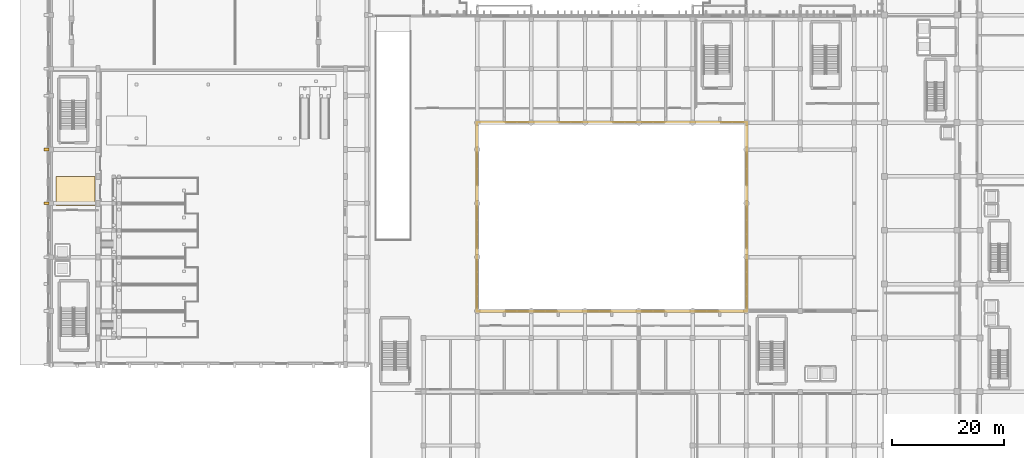
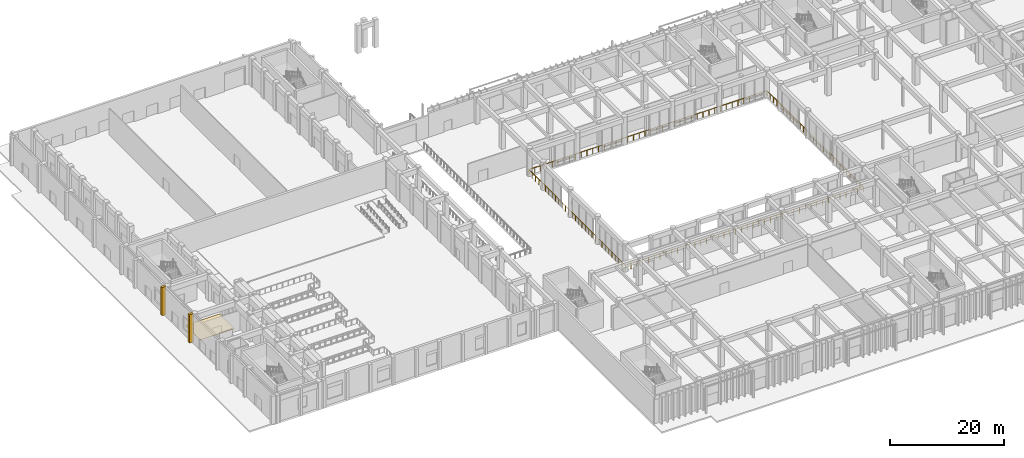
# One storey, part 67 of 87: 3 coverings, 1 railing.
"""IFC4 building model written with IfcOpenShell, lengths in metres."""

from ifc_helpers import new_model, si_unit, direction, frame, origin, origin_2d, place, context, subcontext, project, spatial, polyline, rectangle, circle, outline, extrude, material, layer, layer_set, type_object, element, save


model = new_model("IFC4")

# Units and contexts
model_context = context("Model", 3, precision=1e-05, world=origin(), true_north=direction((0.0, 1.0)))
body_context = subcontext(model_context, "Body", "Model", "MODEL_VIEW")
ifc_project = project(units=[si_unit("LENGTHUNIT", "METRE"), si_unit("AREAUNIT", "SQUARE_METRE"), si_unit("VOLUMEUNIT", "CUBIC_METRE"), si_unit("PLANEANGLEUNIT", "RADIAN"), si_unit("MASSUNIT", "GRAM", prefix="KILO")], contexts=[model_context])

# Site, building, storey
site_placement = place(None, origin())
site = spatial("IfcSite", under=ifc_project, at=site_placement, CompositionType="ELEMENT")
building_placement = place(site_placement, origin())
building = spatial("IfcBuilding", under=site, at=building_placement, Name="Nakhvara Creek Congress Hotel", CompositionType="ELEMENT")
storey_placement = place(building_placement, origin())
storey = spatial("IfcBuildingStorey", under=building, at=storey_placement, Name="L00", CompositionType="ELEMENT", Elevation=0.0)

# Coverings
ifc_material_1 = material(Name="Honed pale Omani limestone architectural cladding", Category="masonry")
ifc_layer_1 = layer(ifc_material_1, 0.449951171875)
ifc_layer_set_1 = layer_set([ifc_layer_1], Name="Honed pale Omani limestone architectural cladding")
covering_type_1 = type_object("IfcCoveringType", Name="COV-BUTT-850", PredefinedType="CLADDING", material=ifc_layer_set_1)
for number, where, z_axis, x_axis, name in (
    (1, (-0.06494140625, 62.39990234375, 0.0), (0.0, 0.0, 1.0), (0.0, 1.0, 0.0), "Gothic Limestone Buttress Pier CF03-0402"),
    (2, (-0.06494140625, 72.0, 0.0), (0.0, 0.0, 1.0), (0.0, 1.0, 0.0), "Gothic Limestone Buttress Pier CF03-0403"),
):
    element("IfcCovering", number, at=place(storey_placement, frame(where, z_axis=z_axis, x_axis=x_axis)), inside=storey, type_object=covering_type_1, Name=name, PredefinedType="CLADDING", context=body_context, shape_type="SweptSolid", body=[
        extrude(rectangle(XDim=0.47998046875, YDim=0.85009765625, at=origin_2d()), origin(), (0.0, 0.0, 1.0), 6.0),
    ])
ifc_material_2 = material(Name="Honed limestone and terrazzo acoustic floor finish", Category="masonry")
ifc_layer_2 = layer(ifc_material_2, 0.044921875)
ifc_layer_set_2 = layer_set([ifc_layer_2], Name="Honed limestone and terrazzo acoustic floor finish")
covering_type_2 = type_object("IfcCoveringType", Name="COV-FLR-TER", PredefinedType="FLOORING", material=ifc_layer_set_2)
covering_placement = place(storey_placement, origin())
element("IfcCovering", 3, at=covering_placement, inside=storey, type_object=covering_type_2, Name="Floor Finish L00-CH-03", PredefinedType="FLOORING", context=body_context, shape_type="SweptSolid", body=[
    extrude(outline(polyline([(1.60009765625, 62.0), (8.5400390625, 62.0), (8.5400390625, 67.199951171875), (1.60009765625, 67.199951171875), (1.60009765625, 62.0)])), origin(), (0.0, 0.0, 1.0), 0.030029296875),
])

# Railing
ifc_material_3 = material(Name="Brushed stainless steel 316L", Category="steel")
railing_type = type_object("IfcRailingType", Name="RL-GUARD-1200", PredefinedType="GUARDRAIL", material=ifc_material_3)
railing_placement = place(storey_placement, frame((76.719970703125, 43.1201171875, 0.0)))
element("IfcRailing", 4, at=railing_placement, inside=storey, type_object=railing_type, Name="Cloister Courtyard Perimeter Guardrail L00", PredefinedType="GUARDRAIL", context=body_context, shape_type="SweptSolid", body=[
    extrude(circle(Radius=0.02392578125, at=origin_2d()), frame((0.0146484375, 0.0, 1.17578125), z_axis=(1.0, 0.0, 0.0), x_axis=(0.0, 1.0, 0.0)), (0.0, 0.0, 1.0), 48.130615234375),
    extrude(circle(Radius=0.02392578125, at=origin_2d()), frame((48.159912109375, 0.0146484375, 1.17578125), z_axis=(0.0, 1.0, 0.0), x_axis=(-1.0, 0.0, 0.0)), (0.0, 0.0, 1.0), 33.73046875),
    extrude(circle(Radius=0.02392578125, at=origin_2d()), frame((48.145263671875, 33.759765625, 1.17578125), z_axis=(-1.0, 0.0, 0.0), x_axis=(0.0, -1.0, 0.0)), (0.0, 0.0, 1.0), 48.130615234375),
    extrude(circle(Radius=0.02392578125, at=origin_2d()), frame((0.0, 33.7451171875, 1.17578125), z_axis=(0.0, -1.0, 0.0), x_axis=(1.0, 0.0, 0.0)), (0.0, 0.0, 1.0), 33.73046875),
    extrude(circle(Radius=0.02099609375, at=origin_2d()), origin(), (0.0, 0.0, 1.0), 1.1806640625),
    extrude(circle(Radius=0.02099609375, at=origin_2d()), frame((1.174560546875, 0.0, 0.0)), (0.0, 0.0, 1.0), 1.1806640625),
    extrude(circle(Radius=0.02099609375, at=origin_2d()), frame((2.349365234375, 0.0, 0.0)), (0.0, 0.0, 1.0), 1.1806640625),
    extrude(circle(Radius=0.02099609375, at=origin_2d()), frame((3.52392578125, 0.0, 0.0)), (0.0, 0.0, 1.0), 1.1806640625),
    extrude(circle(Radius=0.02099609375, at=origin_2d()), frame((4.698486328125, 0.0, 0.0)), (0.0, 0.0, 1.0), 1.1806640625),
    extrude(circle(Radius=0.02099609375, at=origin_2d()), frame((5.873046875, 0.0, 0.0)), (0.0, 0.0, 1.0), 1.1806640625),
    extrude(circle(Radius=0.02099609375, at=origin_2d()), frame((7.0478515625, 0.0, 0.0)), (0.0, 0.0, 1.0), 1.1806640625),
    extrude(circle(Radius=0.02099609375, at=origin_2d()), frame((8.222412109375, 0.0, 0.0)), (0.0, 0.0, 1.0), 1.1806640625),
    extrude(circle(Radius=0.02099609375, at=origin_2d()), frame((9.39697265625, 0.0, 0.0)), (0.0, 0.0, 1.0), 1.1806640625),
    extrude(circle(Radius=0.02099609375, at=origin_2d()), frame((10.57177734375, 0.0, 0.0)), (0.0, 0.0, 1.0), 1.1806640625),
    extrude(circle(Radius=0.02099609375, at=origin_2d()), frame((11.746337890625, 0.0, 0.0)), (0.0, 0.0, 1.0), 1.1806640625),
    extrude(circle(Radius=0.02099609375, at=origin_2d()), frame((12.9208984375, 0.0, 0.0)), (0.0, 0.0, 1.0), 1.1806640625),
    extrude(circle(Radius=0.02099609375, at=origin_2d()), frame((14.095703125, 0.0, 0.0)), (0.0, 0.0, 1.0), 1.1806640625),
    extrude(circle(Radius=0.02099609375, at=origin_2d()), frame((15.270263671875, 0.0, 0.0)), (0.0, 0.0, 1.0), 1.1806640625),
    extrude(circle(Radius=0.02099609375, at=origin_2d()), frame((16.44482421875, 0.0, 0.0)), (0.0, 0.0, 1.0), 1.1806640625),
    extrude(circle(Radius=0.02099609375, at=origin_2d()), frame((17.619384765625, 0.0, 0.0)), (0.0, 0.0, 1.0), 1.1806640625),
    extrude(circle(Radius=0.02099609375, at=origin_2d()), frame((18.794189453125, 0.0, 0.0)), (0.0, 0.0, 1.0), 1.1806640625),
    extrude(circle(Radius=0.02099609375, at=origin_2d()), frame((19.96875, 0.0, 0.0)), (0.0, 0.0, 1.0), 1.1806640625),
    extrude(circle(Radius=0.02099609375, at=origin_2d()), frame((21.143310546875, 0.0, 0.0)), (0.0, 0.0, 1.0), 1.1806640625),
    extrude(circle(Radius=0.02099609375, at=origin_2d()), frame((22.318115234375, 0.0, 0.0)), (0.0, 0.0, 1.0), 1.1806640625),
    extrude(circle(Radius=0.02099609375, at=origin_2d()), frame((23.49267578125, 0.0, 0.0)), (0.0, 0.0, 1.0), 1.1806640625),
    extrude(circle(Radius=0.02099609375, at=origin_2d()), frame((24.667236328125, 0.0, 0.0)), (0.0, 0.0, 1.0), 1.1806640625),
    extrude(circle(Radius=0.02099609375, at=origin_2d()), frame((25.841796875, 0.0, 0.0)), (0.0, 0.0, 1.0), 1.1806640625),
    extrude(circle(Radius=0.02099609375, at=origin_2d()), frame((27.0166015625, 0.0, 0.0)), (0.0, 0.0, 1.0), 1.1806640625),
    extrude(circle(Radius=0.02099609375, at=origin_2d()), frame((28.191162109375, 0.0, 0.0)), (0.0, 0.0, 1.0), 1.1806640625),
    extrude(circle(Radius=0.02099609375, at=origin_2d()), frame((29.36572265625, 0.0, 0.0)), (0.0, 0.0, 1.0), 1.1806640625),
    extrude(circle(Radius=0.02099609375, at=origin_2d()), frame((30.54052734375, 0.0, 0.0)), (0.0, 0.0, 1.0), 1.1806640625),
    extrude(circle(Radius=0.02099609375, at=origin_2d()), frame((31.715087890625, 0.0, 0.0)), (0.0, 0.0, 1.0), 1.1806640625),
    extrude(circle(Radius=0.02099609375, at=origin_2d()), frame((32.8896484375, 0.0, 0.0)), (0.0, 0.0, 1.0), 1.1806640625),
    extrude(circle(Radius=0.02099609375, at=origin_2d()), frame((34.064208984375, 0.0, 0.0)), (0.0, 0.0, 1.0), 1.1806640625),
    extrude(circle(Radius=0.02099609375, at=origin_2d()), frame((35.239013671875, 0.0, 0.0)), (0.0, 0.0, 1.0), 1.1806640625),
    extrude(circle(Radius=0.02099609375, at=origin_2d()), frame((36.41357421875, 0.0, 0.0)), (0.0, 0.0, 1.0), 1.1806640625),
    extrude(circle(Radius=0.02099609375, at=origin_2d()), frame((37.588134765625, 0.0, 0.0)), (0.0, 0.0, 1.0), 1.1806640625),
    extrude(circle(Radius=0.02099609375, at=origin_2d()), frame((38.762939453125, 0.0, 0.0)), (0.0, 0.0, 1.0), 1.1806640625),
    extrude(circle(Radius=0.02099609375, at=origin_2d()), frame((39.9375, 0.0, 0.0)), (0.0, 0.0, 1.0), 1.1806640625),
    extrude(circle(Radius=0.02099609375, at=origin_2d()), frame((41.112060546875, 0.0, 0.0)), (0.0, 0.0, 1.0), 1.1806640625),
    extrude(circle(Radius=0.02099609375, at=origin_2d()), frame((42.286865234375, 0.0, 0.0)), (0.0, 0.0, 1.0), 1.1806640625),
    extrude(circle(Radius=0.02099609375, at=origin_2d()), frame((43.46142578125, 0.0, 0.0)), (0.0, 0.0, 1.0), 1.1806640625),
    extrude(circle(Radius=0.02099609375, at=origin_2d()), frame((44.635986328125, 0.0, 0.0)), (0.0, 0.0, 1.0), 1.1806640625),
    extrude(circle(Radius=0.02099609375, at=origin_2d()), frame((45.810546875, 0.0, 0.0)), (0.0, 0.0, 1.0), 1.1806640625),
    extrude(circle(Radius=0.02099609375, at=origin_2d()), frame((46.9853515625, 0.0, 0.0)), (0.0, 0.0, 1.0), 1.1806640625),
    extrude(circle(Radius=0.02099609375, at=origin_2d()), frame((48.159912109375, 0.0, 0.0)), (0.0, 0.0, 1.0), 1.1806640625),
    extrude(circle(Radius=0.02099609375, at=origin_2d()), frame((48.159912109375, 1.1640625, 0.0)), (0.0, 0.0, 1.0), 1.1806640625),
    extrude(circle(Radius=0.02099609375, at=origin_2d()), frame((48.159912109375, 2.328369140625, 0.0)), (0.0, 0.0, 1.0), 1.1806640625),
    extrude(circle(Radius=0.02099609375, at=origin_2d()), frame((48.159912109375, 3.492431640625, 0.0)), (0.0, 0.0, 1.0), 1.1806640625),
    extrude(circle(Radius=0.02099609375, at=origin_2d()), frame((48.159912109375, 4.656494140625, 0.0)), (0.0, 0.0, 1.0), 1.1806640625),
    extrude(circle(Radius=0.02099609375, at=origin_2d()), frame((48.159912109375, 5.820556640625, 0.0)), (0.0, 0.0, 1.0), 1.1806640625),
    extrude(circle(Radius=0.02099609375, at=origin_2d()), frame((48.159912109375, 6.98486328125, 0.0)), (0.0, 0.0, 1.0), 1.1806640625),
    extrude(circle(Radius=0.02099609375, at=origin_2d()), frame((48.159912109375, 8.14892578125, 0.0)), (0.0, 0.0, 1.0), 1.1806640625),
    extrude(circle(Radius=0.02099609375, at=origin_2d()), frame((48.159912109375, 9.31298828125, 0.0)), (0.0, 0.0, 1.0), 1.1806640625),
    extrude(circle(Radius=0.02099609375, at=origin_2d()), frame((48.159912109375, 10.47705078125, 0.0)), (0.0, 0.0, 1.0), 1.1806640625),
    extrude(circle(Radius=0.02099609375, at=origin_2d()), frame((48.159912109375, 11.641357421875, 0.0)), (0.0, 0.0, 1.0), 1.1806640625),
    extrude(circle(Radius=0.02099609375, at=origin_2d()), frame((48.159912109375, 12.805419921875, 0.0)), (0.0, 0.0, 1.0), 1.1806640625),
    extrude(circle(Radius=0.02099609375, at=origin_2d()), frame((48.159912109375, 13.969482421875, 0.0)), (0.0, 0.0, 1.0), 1.1806640625),
    extrude(circle(Radius=0.02099609375, at=origin_2d()), frame((48.159912109375, 15.1337890625, 0.0)), (0.0, 0.0, 1.0), 1.1806640625),
    extrude(circle(Radius=0.02099609375, at=origin_2d()), frame((48.159912109375, 16.2978515625, 0.0)), (0.0, 0.0, 1.0), 1.1806640625),
    extrude(circle(Radius=0.02099609375, at=origin_2d()), frame((48.159912109375, 17.4619140625, 0.0)), (0.0, 0.0, 1.0), 1.1806640625),
    extrude(circle(Radius=0.02099609375, at=origin_2d()), frame((48.159912109375, 18.6259765625, 0.0)), (0.0, 0.0, 1.0), 1.1806640625),
    extrude(circle(Radius=0.02099609375, at=origin_2d()), frame((48.159912109375, 19.790283203125, 0.0)), (0.0, 0.0, 1.0), 1.1806640625),
    extrude(circle(Radius=0.02099609375, at=origin_2d()), frame((48.159912109375, 20.954345703125, 0.0)), (0.0, 0.0, 1.0), 1.1806640625),
    extrude(circle(Radius=0.02099609375, at=origin_2d()), frame((48.159912109375, 22.118408203125, 0.0)), (0.0, 0.0, 1.0), 1.1806640625),
    extrude(circle(Radius=0.02099609375, at=origin_2d()), frame((48.159912109375, 23.28271484375, 0.0)), (0.0, 0.0, 1.0), 1.1806640625),
    extrude(circle(Radius=0.02099609375, at=origin_2d()), frame((48.159912109375, 24.44677734375, 0.0)), (0.0, 0.0, 1.0), 1.1806640625),
    extrude(circle(Radius=0.02099609375, at=origin_2d()), frame((48.159912109375, 25.61083984375, 0.0)), (0.0, 0.0, 1.0), 1.1806640625),
    extrude(circle(Radius=0.02099609375, at=origin_2d()), frame((48.159912109375, 26.77490234375, 0.0)), (0.0, 0.0, 1.0), 1.1806640625),
    extrude(circle(Radius=0.02099609375, at=origin_2d()), frame((48.159912109375, 27.939208984375, 0.0)), (0.0, 0.0, 1.0), 1.1806640625),
    extrude(circle(Radius=0.02099609375, at=origin_2d()), frame((48.159912109375, 29.103271484375, 0.0)), (0.0, 0.0, 1.0), 1.1806640625),
    extrude(circle(Radius=0.02099609375, at=origin_2d()), frame((48.159912109375, 30.267333984375, 0.0)), (0.0, 0.0, 1.0), 1.1806640625),
    extrude(circle(Radius=0.02099609375, at=origin_2d()), frame((48.159912109375, 31.431396484375, 0.0)), (0.0, 0.0, 1.0), 1.1806640625),
    extrude(circle(Radius=0.02099609375, at=origin_2d()), frame((48.159912109375, 32.595703125, 0.0)), (0.0, 0.0, 1.0), 1.1806640625),
    extrude(circle(Radius=0.02099609375, at=origin_2d()), frame((48.159912109375, 33.759765625, 0.0)), (0.0, 0.0, 1.0), 1.1806640625),
    extrude(circle(Radius=0.02099609375, at=origin_2d()), frame((46.9853515625, 33.759765625, 0.0)), (0.0, 0.0, 1.0), 1.1806640625),
    extrude(circle(Radius=0.02099609375, at=origin_2d()), frame((45.810546875, 33.759765625, 0.0)), (0.0, 0.0, 1.0), 1.1806640625),
    extrude(circle(Radius=0.02099609375, at=origin_2d()), frame((44.635986328125, 33.759765625, 0.0)), (0.0, 0.0, 1.0), 1.1806640625),
    extrude(circle(Radius=0.02099609375, at=origin_2d()), frame((43.46142578125, 33.759765625, 0.0)), (0.0, 0.0, 1.0), 1.1806640625),
    extrude(circle(Radius=0.02099609375, at=origin_2d()), frame((42.286865234375, 33.759765625, 0.0)), (0.0, 0.0, 1.0), 1.1806640625),
    extrude(circle(Radius=0.02099609375, at=origin_2d()), frame((41.112060546875, 33.759765625, 0.0)), (0.0, 0.0, 1.0), 1.1806640625),
    extrude(circle(Radius=0.02099609375, at=origin_2d()), frame((39.9375, 33.759765625, 0.0)), (0.0, 0.0, 1.0), 1.1806640625),
    extrude(circle(Radius=0.02099609375, at=origin_2d()), frame((38.762939453125, 33.759765625, 0.0)), (0.0, 0.0, 1.0), 1.1806640625),
    extrude(circle(Radius=0.02099609375, at=origin_2d()), frame((37.588134765625, 33.759765625, 0.0)), (0.0, 0.0, 1.0), 1.1806640625),
    extrude(circle(Radius=0.02099609375, at=origin_2d()), frame((36.41357421875, 33.759765625, 0.0)), (0.0, 0.0, 1.0), 1.1806640625),
    extrude(circle(Radius=0.02099609375, at=origin_2d()), frame((35.239013671875, 33.759765625, 0.0)), (0.0, 0.0, 1.0), 1.1806640625),
    extrude(circle(Radius=0.02099609375, at=origin_2d()), frame((34.064208984375, 33.759765625, 0.0)), (0.0, 0.0, 1.0), 1.1806640625),
    extrude(circle(Radius=0.02099609375, at=origin_2d()), frame((32.8896484375, 33.759765625, 0.0)), (0.0, 0.0, 1.0), 1.1806640625),
    extrude(circle(Radius=0.02099609375, at=origin_2d()), frame((31.715087890625, 33.759765625, 0.0)), (0.0, 0.0, 1.0), 1.1806640625),
    extrude(circle(Radius=0.02099609375, at=origin_2d()), frame((30.54052734375, 33.759765625, 0.0)), (0.0, 0.0, 1.0), 1.1806640625),
    extrude(circle(Radius=0.02099609375, at=origin_2d()), frame((29.36572265625, 33.759765625, 0.0)), (0.0, 0.0, 1.0), 1.1806640625),
    extrude(circle(Radius=0.02099609375, at=origin_2d()), frame((28.191162109375, 33.759765625, 0.0)), (0.0, 0.0, 1.0), 1.1806640625),
    extrude(circle(Radius=0.02099609375, at=origin_2d()), frame((27.0166015625, 33.759765625, 0.0)), (0.0, 0.0, 1.0), 1.1806640625),
    extrude(circle(Radius=0.02099609375, at=origin_2d()), frame((25.841796875, 33.759765625, 0.0)), (0.0, 0.0, 1.0), 1.1806640625),
    extrude(circle(Radius=0.02099609375, at=origin_2d()), frame((24.667236328125, 33.759765625, 0.0)), (0.0, 0.0, 1.0), 1.1806640625),
    extrude(circle(Radius=0.02099609375, at=origin_2d()), frame((23.49267578125, 33.759765625, 0.0)), (0.0, 0.0, 1.0), 1.1806640625),
    extrude(circle(Radius=0.02099609375, at=origin_2d()), frame((22.318115234375, 33.759765625, 0.0)), (0.0, 0.0, 1.0), 1.1806640625),
    extrude(circle(Radius=0.02099609375, at=origin_2d()), frame((21.143310546875, 33.759765625, 0.0)), (0.0, 0.0, 1.0), 1.1806640625),
    extrude(circle(Radius=0.02099609375, at=origin_2d()), frame((19.96875, 33.759765625, 0.0)), (0.0, 0.0, 1.0), 1.1806640625),
    extrude(circle(Radius=0.02099609375, at=origin_2d()), frame((18.794189453125, 33.759765625, 0.0)), (0.0, 0.0, 1.0), 1.1806640625),
    extrude(circle(Radius=0.02099609375, at=origin_2d()), frame((17.619384765625, 33.759765625, 0.0)), (0.0, 0.0, 1.0), 1.1806640625),
    extrude(circle(Radius=0.02099609375, at=origin_2d()), frame((16.44482421875, 33.759765625, 0.0)), (0.0, 0.0, 1.0), 1.1806640625),
    extrude(circle(Radius=0.02099609375, at=origin_2d()), frame((15.270263671875, 33.759765625, 0.0)), (0.0, 0.0, 1.0), 1.1806640625),
    extrude(circle(Radius=0.02099609375, at=origin_2d()), frame((14.095703125, 33.759765625, 0.0)), (0.0, 0.0, 1.0), 1.1806640625),
    extrude(circle(Radius=0.02099609375, at=origin_2d()), frame((12.9208984375, 33.759765625, 0.0)), (0.0, 0.0, 1.0), 1.1806640625),
    extrude(circle(Radius=0.02099609375, at=origin_2d()), frame((11.746337890625, 33.759765625, 0.0)), (0.0, 0.0, 1.0), 1.1806640625),
    extrude(circle(Radius=0.02099609375, at=origin_2d()), frame((10.57177734375, 33.759765625, 0.0)), (0.0, 0.0, 1.0), 1.1806640625),
    extrude(circle(Radius=0.02099609375, at=origin_2d()), frame((9.39697265625, 33.759765625, 0.0)), (0.0, 0.0, 1.0), 1.1806640625),
    extrude(circle(Radius=0.02099609375, at=origin_2d()), frame((8.222412109375, 33.759765625, 0.0)), (0.0, 0.0, 1.0), 1.1806640625),
    extrude(circle(Radius=0.02099609375, at=origin_2d()), frame((7.0478515625, 33.759765625, 0.0)), (0.0, 0.0, 1.0), 1.1806640625),
    extrude(circle(Radius=0.02099609375, at=origin_2d()), frame((5.873046875, 33.759765625, 0.0)), (0.0, 0.0, 1.0), 1.1806640625),
    extrude(circle(Radius=0.02099609375, at=origin_2d()), frame((4.698486328125, 33.759765625, 0.0)), (0.0, 0.0, 1.0), 1.1806640625),
    extrude(circle(Radius=0.02099609375, at=origin_2d()), frame((3.52392578125, 33.759765625, 0.0)), (0.0, 0.0, 1.0), 1.1806640625),
    extrude(circle(Radius=0.02099609375, at=origin_2d()), frame((2.349365234375, 33.759765625, 0.0)), (0.0, 0.0, 1.0), 1.1806640625),
    extrude(circle(Radius=0.02099609375, at=origin_2d()), frame((1.174560546875, 33.759765625, 0.0)), (0.0, 0.0, 1.0), 1.1806640625),
    extrude(circle(Radius=0.02099609375, at=origin_2d()), frame((0.0, 33.759765625, 0.0)), (0.0, 0.0, 1.0), 1.1806640625),
    extrude(circle(Radius=0.02099609375, at=origin_2d()), frame((0.0, 32.595703125, 0.0)), (0.0, 0.0, 1.0), 1.1806640625),
    extrude(circle(Radius=0.02099609375, at=origin_2d()), frame((0.0, 31.431396484375, 0.0)), (0.0, 0.0, 1.0), 1.1806640625),
    extrude(circle(Radius=0.02099609375, at=origin_2d()), frame((0.0, 30.267333984375, 0.0)), (0.0, 0.0, 1.0), 1.1806640625),
    extrude(circle(Radius=0.02099609375, at=origin_2d()), frame((0.0, 29.103271484375, 0.0)), (0.0, 0.0, 1.0), 1.1806640625),
    extrude(circle(Radius=0.02099609375, at=origin_2d()), frame((0.0, 27.939208984375, 0.0)), (0.0, 0.0, 1.0), 1.1806640625),
    extrude(circle(Radius=0.02099609375, at=origin_2d()), frame((0.0, 26.77490234375, 0.0)), (0.0, 0.0, 1.0), 1.1806640625),
    extrude(circle(Radius=0.02099609375, at=origin_2d()), frame((0.0, 25.61083984375, 0.0)), (0.0, 0.0, 1.0), 1.1806640625),
    extrude(circle(Radius=0.02099609375, at=origin_2d()), frame((0.0, 24.44677734375, 0.0)), (0.0, 0.0, 1.0), 1.1806640625),
    extrude(circle(Radius=0.02099609375, at=origin_2d()), frame((0.0, 23.28271484375, 0.0)), (0.0, 0.0, 1.0), 1.1806640625),
    extrude(circle(Radius=0.02099609375, at=origin_2d()), frame((0.0, 22.118408203125, 0.0)), (0.0, 0.0, 1.0), 1.1806640625),
    extrude(circle(Radius=0.02099609375, at=origin_2d()), frame((0.0, 20.954345703125, 0.0)), (0.0, 0.0, 1.0), 1.1806640625),
    extrude(circle(Radius=0.02099609375, at=origin_2d()), frame((0.0, 19.790283203125, 0.0)), (0.0, 0.0, 1.0), 1.1806640625),
    extrude(circle(Radius=0.02099609375, at=origin_2d()), frame((0.0, 18.6259765625, 0.0)), (0.0, 0.0, 1.0), 1.1806640625),
    extrude(circle(Radius=0.02099609375, at=origin_2d()), frame((0.0, 17.4619140625, 0.0)), (0.0, 0.0, 1.0), 1.1806640625),
    extrude(circle(Radius=0.02099609375, at=origin_2d()), frame((0.0, 16.2978515625, 0.0)), (0.0, 0.0, 1.0), 1.1806640625),
    extrude(circle(Radius=0.02099609375, at=origin_2d()), frame((0.0, 15.1337890625, 0.0)), (0.0, 0.0, 1.0), 1.1806640625),
    extrude(circle(Radius=0.02099609375, at=origin_2d()), frame((0.0, 13.969482421875, 0.0)), (0.0, 0.0, 1.0), 1.1806640625),
    extrude(circle(Radius=0.02099609375, at=origin_2d()), frame((0.0, 12.805419921875, 0.0)), (0.0, 0.0, 1.0), 1.1806640625),
    extrude(circle(Radius=0.02099609375, at=origin_2d()), frame((0.0, 11.641357421875, 0.0)), (0.0, 0.0, 1.0), 1.1806640625),
    extrude(circle(Radius=0.02099609375, at=origin_2d()), frame((0.0, 10.47705078125, 0.0)), (0.0, 0.0, 1.0), 1.1806640625),
    extrude(circle(Radius=0.02099609375, at=origin_2d()), frame((0.0, 9.31298828125, 0.0)), (0.0, 0.0, 1.0), 1.1806640625),
    extrude(circle(Radius=0.02099609375, at=origin_2d()), frame((0.0, 8.14892578125, 0.0)), (0.0, 0.0, 1.0), 1.1806640625),
    extrude(circle(Radius=0.02099609375, at=origin_2d()), frame((0.0, 6.98486328125, 0.0)), (0.0, 0.0, 1.0), 1.1806640625),
    extrude(circle(Radius=0.02099609375, at=origin_2d()), frame((0.0, 5.820556640625, 0.0)), (0.0, 0.0, 1.0), 1.1806640625),
    extrude(circle(Radius=0.02099609375, at=origin_2d()), frame((0.0, 4.656494140625, 0.0)), (0.0, 0.0, 1.0), 1.1806640625),
    extrude(circle(Radius=0.02099609375, at=origin_2d()), frame((0.0, 3.492431640625, 0.0)), (0.0, 0.0, 1.0), 1.1806640625),
    extrude(circle(Radius=0.02099609375, at=origin_2d()), frame((0.0, 2.328369140625, 0.0)), (0.0, 0.0, 1.0), 1.1806640625),
    extrude(circle(Radius=0.02099609375, at=origin_2d()), frame((0.0, 1.1640625, 0.0)), (0.0, 0.0, 1.0), 1.1806640625),
])

save(model, "model.ifc")
